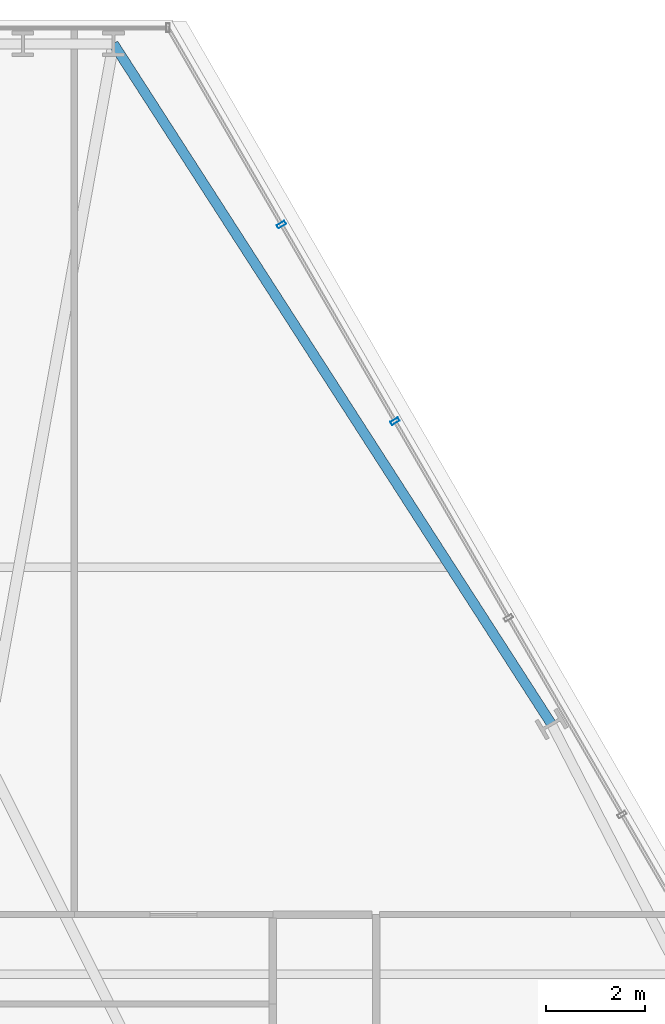
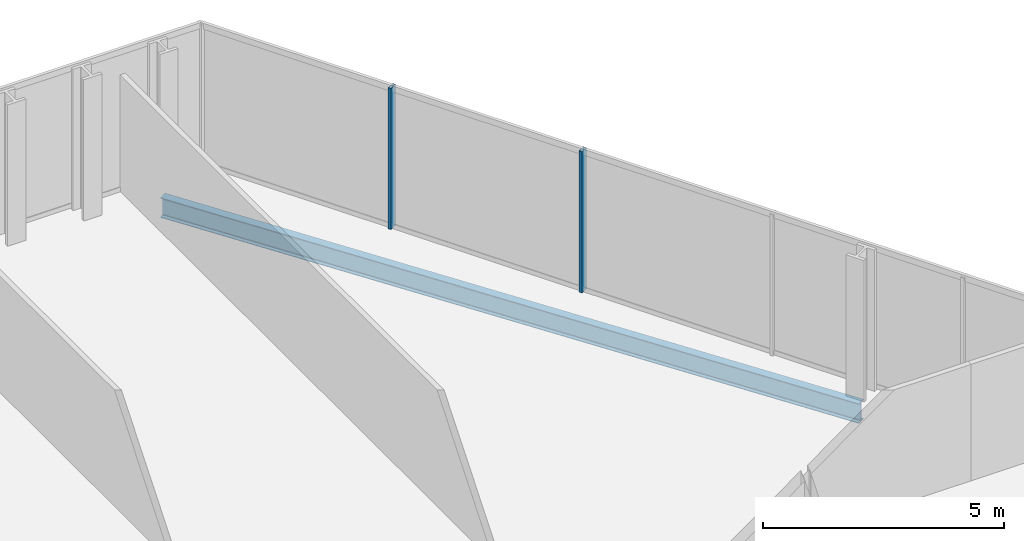
# One storey, part 25 of 32: 2 members, 1 beam, 1 element without a shape of its own.
"""IFC4 building model written with IfcOpenShell, lengths in metres."""

from ifc_helpers import new_model, si_unit, direction, frame, origin, origin_2d, place, context, subcontext, project, spatial, hollow_rectangle, i_section, extrude, material, layer, layer_set, material_profile, profile_set, type_object, element, aggregate, save


model = new_model("IFC4")

# Units and contexts
model_context = context("Model", 3, precision=1e-05, world=origin(), true_north=direction((0.0, 1.0)))
body_context = subcontext(model_context, "Body", "Model", "MODEL_VIEW")
ifc_project = project(units=[si_unit("LENGTHUNIT", "METRE"), si_unit("AREAUNIT", "SQUARE_METRE"), si_unit("VOLUMEUNIT", "CUBIC_METRE"), si_unit("PLANEANGLEUNIT", "RADIAN"), si_unit("MASSUNIT", "GRAM", prefix="KILO")], contexts=[model_context])

# Site, building, storey
site_placement = place(None, origin())
site = spatial("IfcSite", under=ifc_project, at=site_placement, CompositionType="ELEMENT")
building_placement = place(site_placement, origin())
building = spatial("IfcBuilding", under=site, at=building_placement, Name="Ndaravel Arena Tower", CompositionType="ELEMENT")
storey_placement = place(building_placement, frame((0.0, 0.0, 70.199951171875)))
storey = spatial("IfcBuildingStorey", under=building, at=storey_placement, Name="L15", CompositionType="ELEMENT", Elevation=70.199951171875)

# Beam
ifc_material_1 = material(Name="Steel S355", Category="steel")
ifc_material_profile_1 = material_profile(ifc_material_1, i_section(OverallWidth=0.199951171875, OverallDepth=0.5, WebThickness=0.01025390625, FlangeThickness=0.01611328125, FilletRadius=0.02099609375, at=origin_2d()), Name="IPE 500")
ifc_profile_set_1 = profile_set([ifc_material_profile_1], Name="Steel S355")
beam_type = type_object("IfcBeamType", Name="BM-SPAN-IPE500", PredefinedType="SPANDREL", material=ifc_profile_set_1)
beam_placement = place(storey_placement, frame((57.216796875, 31.836181640625, -0.469970703125), z_axis=(-0.541382511268, 0.840776412903, 0.0), x_axis=(-0.840776412903, -0.541382511268, 0.0)))
element("IfcBeam", 1, at=beam_placement, inside=storey, type_object=beam_type, Name="L15 Perimeter Spandrel Beam SP-10", PredefinedType="SPANDREL", context=body_context, shape_type="SweptSolid", body=[
    extrude(i_section(OverallWidth=0.199951171875, OverallDepth=0.5, WebThickness=0.01025390625, FlangeThickness=0.01611328125, FilletRadius=0.02099609375, at=origin_2d()), origin(), (0.0, 0.0, 1.0), 16.3056640625),
])

# Curtain wall, members
ifc_material_2 = material(Name="Aluminium", Category="aluminium")
ifc_layer = layer(ifc_material_2, 0.179931640625)
ifc_layer_set = layer_set([ifc_layer], Name="Aluminium")
curtain_wall_type = type_object("IfcCurtainWallType", Name="CW-SYS-03", PredefinedType="NOTDEFINED", material=ifc_layer_set)
curtain_wall_placement = place(storey_placement, origin())
curtain_wall = element("IfcCurtainWall", 2, at=curtain_wall_placement, inside=storey, type_object=curtain_wall_type, Name="L15 Faceted Crystal Curtain Wall CW-L15-E03", PredefinedType="NOTDEFINED")
ifc_material_3 = material(Name="Aluminium", Category="aluminium")
ifc_material_profile_2 = material_profile(ifc_material_3, hollow_rectangle(XDim=0.074951171875, YDim=0.179931640625, WallThickness=0.00390625, at=origin_2d()), Name="CW MULLION 75x180x4")
ifc_profile_set_2 = profile_set([ifc_material_profile_2], Name="Aluminium")
member_type = type_object("IfcMemberType", Name="MEM-CW-MUL180", PredefinedType="MULLION", material=ifc_profile_set_2)
member_1_placement = place(storey_placement, frame((54.062255859375, 37.940185546875, 0.0), z_axis=(0.0, 0.0, 1.0), x_axis=(-0.5, 0.866025403784, 0.0)))
member_1 = element("IfcMember", 3, at=member_1_placement, type_object=member_type, Name="CW-L15-E03 Mullion 05", PredefinedType="MULLION", context=body_context, shape_type="SweptSolid", body=[
    extrude(hollow_rectangle(XDim=0.074951171875, YDim=0.179931640625, WallThickness=0.00390625, at=origin_2d()), origin(), (0.0, 0.0, 1.0), 3.580078125),
])
member_2_placement = place(storey_placement, frame((51.7744140625, 41.903076171875, 0.0), z_axis=(0.0, 0.0, 1.0), x_axis=(-0.5, 0.866025403784, 0.0)))
member_2 = element("IfcMember", 4, at=member_2_placement, type_object=member_type, Name="CW-L15-E03 Mullion 06", PredefinedType="MULLION", context=body_context, shape_type="SweptSolid", body=[
    extrude(hollow_rectangle(XDim=0.074951171875, YDim=0.179931640625, WallThickness=0.00390625, at=origin_2d()), origin(), (0.0, 0.0, 1.0), 3.580078125),
])
aggregate(curtain_wall, [member_1, member_2])

save(model, "model.ifc")
